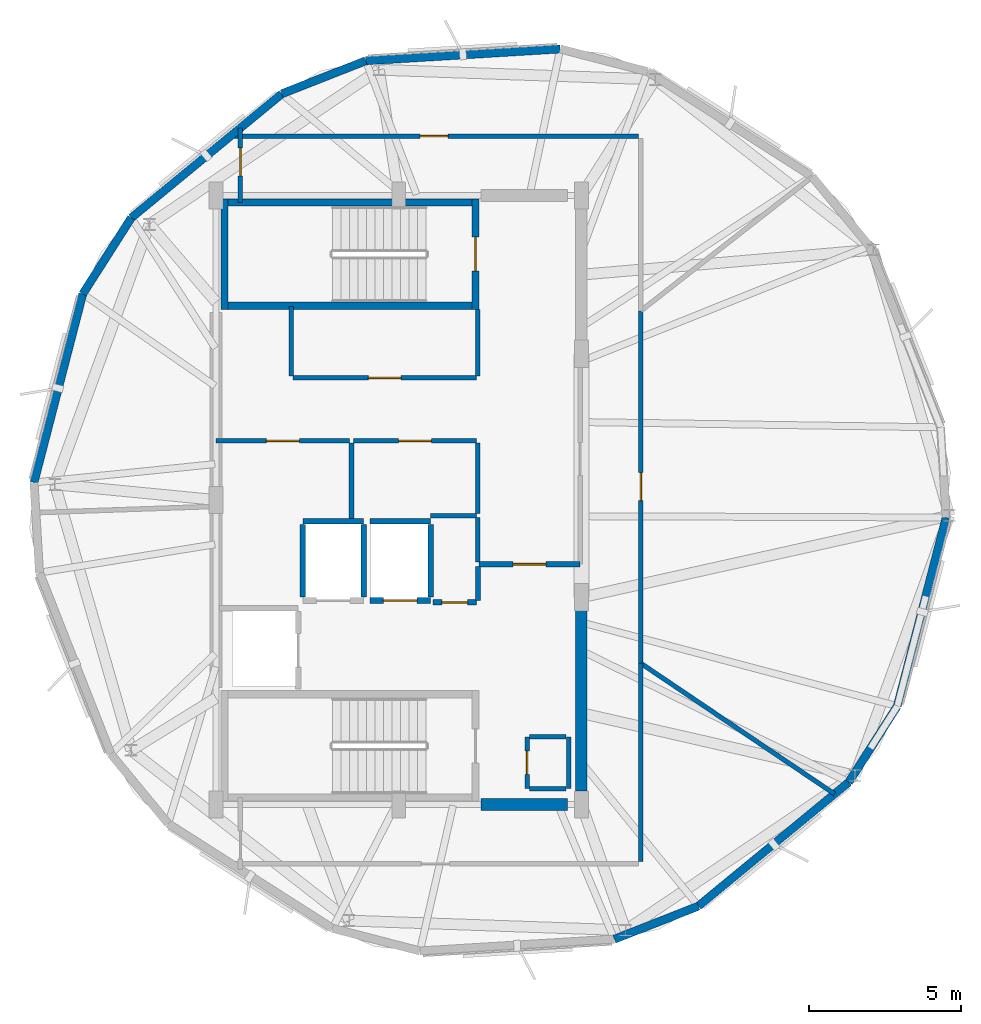
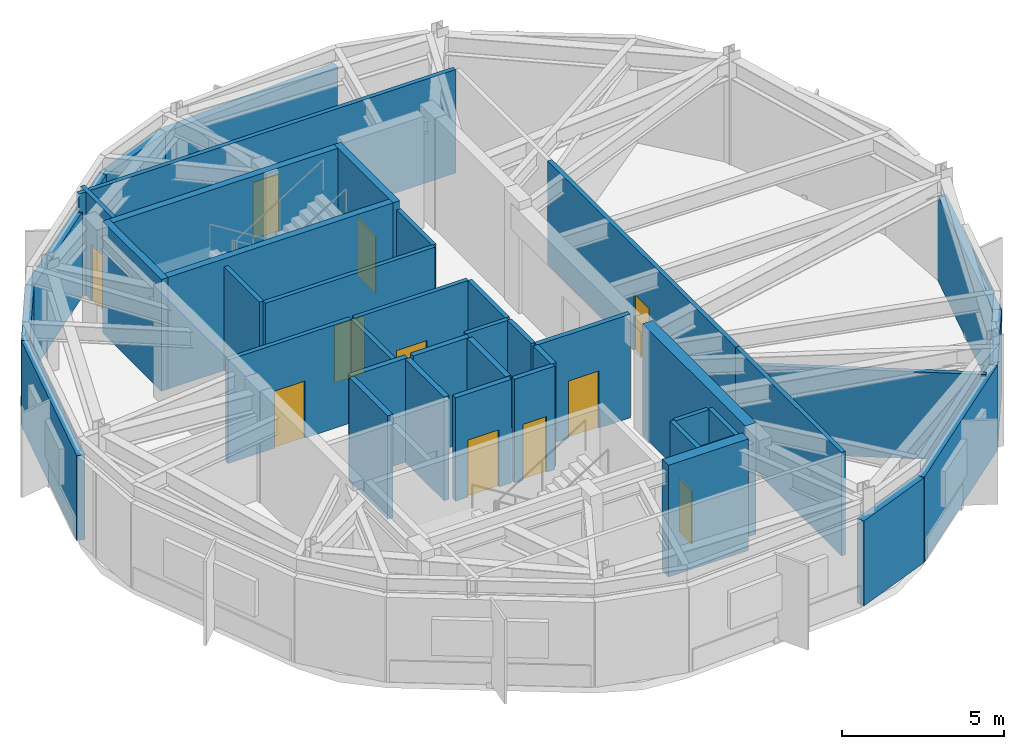
# One storey, part 3 of 6: 42 walls, 11 doors, 11 openings.
"""IFC4 building model written with IfcOpenShell, lengths in metres."""

from ifc_helpers import new_model, si_unit, direction, frame, frame_2d, origin, place, context, subcontext, project, spatial, rectangle, extrude, material, layer, layer_set, type_object, element, fill, save


model = new_model("IFC4")

# Units and contexts
model_context = context("Model", 3, precision=1e-05, world=origin(), true_north=direction((0.0, 1.0)))
body_context = subcontext(model_context, "Body", "Model", "MODEL_VIEW")
ifc_project = project(units=[si_unit("LENGTHUNIT", "METRE"), si_unit("AREAUNIT", "SQUARE_METRE"), si_unit("VOLUMEUNIT", "CUBIC_METRE"), si_unit("PLANEANGLEUNIT", "RADIAN"), si_unit("MASSUNIT", "GRAM", prefix="KILO")], contexts=[model_context])

# Site, building, storey
site_placement = place(None, origin())
site = spatial("IfcSite", under=ifc_project, at=site_placement, CompositionType="ELEMENT")
building_placement = place(site_placement, origin())
building = spatial("IfcBuilding", under=site, at=building_placement, Name="Soratama Intermodal Tower", CompositionType="ELEMENT")
storey_placement = place(building_placement, frame((0.0, 0.0, 314.050048828125)))
storey = spatial("IfcBuildingStorey", under=building, at=storey_placement, Name="L79", CompositionType="ELEMENT", Elevation=314.050048828125)

# Walls
ifc_material_1 = material(Name="Concrete f'c 42 MPa", Category="concrete")
ifc_layer_1 = layer(ifc_material_1, 0.27001953125)
ifc_layer_set_1 = layer_set([ifc_layer_1], Name="Concrete f'c 42 MPa")
wall_type_1 = type_object("IfcWallType", Name="EW-CRN-270", PredefinedType="SOLIDWALL", material=ifc_layer_set_1)
wall_1_placement = place(storey_placement, frame((37.517578125, 39.425048828125, 0.0), z_axis=(0.0, 0.0, 1.0), x_axis=(-0.930556298415, -0.36614884334, 0.0)))
element("IfcWall", 1, at=wall_1_placement, inside=storey, type_object=wall_type_1, Name="L79 Corner Closure Wall 01", PredefinedType="SOLIDWALL", context=body_context, shape_type="SweptSolid", body=[
    extrude(rectangle(XDim=2.966552734375, YDim=0.27001953125, at=frame_2d((1.4833984375, 0.0))), origin(), (0.0, 0.0, 1.0), 3.195068359375),
])
wall_2_placement = place(storey_placement, frame((43.904296875, 39.8134765625, 0.0), z_axis=(0.0, 0.0, 1.0), x_axis=(-0.998155697587, -0.06070587595, 0.0)))
element("IfcWall", 2, at=wall_2_placement, inside=storey, type_object=wall_type_1, Name="L79 Plant Wall F01", PredefinedType="SOLIDWALL", context=body_context, shape_type="SweptSolid", body=[
    extrude(rectangle(XDim=6.3984375, YDim=0.27001953125, at=frame_2d((3.19921875, 0.0))), origin(), (0.0, 0.0, 1.0), 3.195068359375),
])
wall_3_placement = place(storey_placement, frame((29.818359375, 34.2705078125, 0.0), z_axis=(0.0, 0.0, 1.0), x_axis=(-0.537567579057, -0.843220669782, 0.0)))
element("IfcWall", 3, at=wall_3_placement, inside=storey, type_object=wall_type_1, Name="L79 Corner Closure Wall 02", PredefinedType="SOLIDWALL", context=body_context, shape_type="SweptSolid", body=[
    extrude(rectangle(XDim=2.966552734375, YDim=0.27001953125, at=frame_2d((1.4833984375, 0.0))), origin(), (0.0, 0.0, 1.0), 3.195068359375),
])
wall_4_placement = place(storey_placement, frame((34.757080078125, 38.3388671875, 0.0), z_axis=(0.0, 0.0, 1.0), x_axis=(-0.771839914266, -0.635816912913, 0.0)))
element("IfcWall", 4, at=wall_4_placement, inside=storey, type_object=wall_type_1, Name="L79 Plant Wall F02", PredefinedType="SOLIDWALL", context=body_context, shape_type="SweptSolid", body=[
    extrude(rectangle(XDim=6.398681640625, YDim=0.27001953125, at=frame_2d((3.19921875, 0.0))), origin(), (0.0, 0.0, 1.0), 3.195068359375),
])
wall_5_placement = place(storey_placement, frame((28.2236328125, 31.76904296875, 0.0), z_axis=(0.0, 0.0, 1.0), x_axis=(-0.250723798098, -0.968058664063, 0.0)))
element("IfcWall", 5, at=wall_5_placement, inside=storey, type_object=wall_type_1, Name="L79 Plant Wall F03", PredefinedType="SOLIDWALL", context=body_context, shape_type="SweptSolid", body=[
    extrude(rectangle(XDim=6.3984375, YDim=0.27001953125, at=frame_2d((3.19921875, 0.0))), origin(), (0.0, 0.0, 1.0), 3.195068359375),
])
for number, where, z_axis, x_axis, name in (
    (6, (45.682373046875, 10.574951171875, 0.0), (0.0, 0.0, 1.0), (0.930556298415, 0.36614884334, 0.0), "L79 Corner Closure Wall 06"),
    (7, (53.381591796875, 15.7294921875, 0.0), (0.0, 0.0, 1.0), (0.537567579057, 0.843220669782, 0.0), "L79 Corner Closure Wall 07"),
):
    element("IfcWall", number, at=place(storey_placement, frame(where, z_axis=z_axis, x_axis=x_axis)), inside=storey, type_object=wall_type_1, Name=name, PredefinedType="SOLIDWALL", context=body_context, shape_type="SweptSolid", body=[
        extrude(rectangle(XDim=2.966552734375, YDim=0.27001953125, at=frame_2d((1.4833984375, 0.0))), origin(), (0.0, 0.0, 1.0), 3.195068359375),
    ])
wall_6_placement = place(storey_placement, frame((48.44287109375, 11.6611328125, 0.0), z_axis=(0.0, 0.0, 1.0), x_axis=(0.771839914266, 0.635816912913, 0.0)))
element("IfcWall", 8, at=wall_6_placement, inside=storey, type_object=wall_type_1, Name="L79 Plant Wall F07", PredefinedType="SOLIDWALL", context=body_context, shape_type="SweptSolid", body=[
    extrude(rectangle(XDim=6.398681640625, YDim=0.27001953125, at=frame_2d((3.19921875, 0.0))), origin(), (0.0, 0.0, 1.0), 3.195068359375),
])
wall_7_placement = place(storey_placement, frame((54.976318359375, 18.23095703125, 0.0), z_axis=(0.0, 0.0, 1.0), x_axis=(0.250723798098, 0.968058664063, 0.0)))
element("IfcWall", 9, at=wall_7_placement, inside=storey, type_object=wall_type_1, Name="L79 Plant Wall F08", PredefinedType="SOLIDWALL", context=body_context, shape_type="SweptSolid", body=[
    extrude(rectangle(XDim=6.3984375, YDim=0.27001953125, at=frame_2d((3.19921875, 0.0))), origin(), (0.0, 0.0, 1.0), 3.195068359375),
])
ifc_material_2 = material(Name="Fire-rated gypsum stud partition", Category="concrete")
ifc_layer_2 = layer(ifc_material_2, 0.14990234375)
ifc_layer_set_2 = layer_set([ifc_layer_2], Name="Fire-rated gypsum stud partition")
wall_type_2 = type_object("IfcWallType", Name="IW-PART-R150", PredefinedType="PARTITIONING", material=ifc_layer_set_2)
for number, where, z_axis, x_axis, name in (
    (10, (42.89990234375, 15.52001953125, 0.0), (0.0, 0.0, 1.0), (1.0, 0.0, 0.0), "L79 Riser Wall S"),
    (11, (42.89990234375, 17.219970703125, 0.0), (0.0, 0.0, 1.0), (1.0, 0.0, 0.0), "L79 Riser Wall N"),
):
    element("IfcWall", number, at=place(storey_placement, frame(where, z_axis=z_axis, x_axis=x_axis)), inside=storey, type_object=wall_type_2, Name=name, PredefinedType="PARTITIONING", context=body_context, shape_type="SweptSolid", body=[
        extrude(rectangle(XDim=1.2001953125, YDim=0.14990234375, at=frame_2d((0.60009765625, 0.0))), origin(), (0.0, 0.0, 1.0), 3.89501953125),
    ])
wall_8_placement = place(storey_placement, frame((44.179931640625, 15.52001953125, 0.0), z_axis=(0.0, 0.0, 1.0), x_axis=(0.0, 1.0, 0.0)))
element("IfcWall", 12, at=wall_8_placement, inside=storey, type_object=wall_type_2, Name="L79 Riser Wall E", PredefinedType="PARTITIONING", context=body_context, shape_type="SweptSolid", body=[
    extrude(rectangle(XDim=1.699951171875, YDim=0.14990234375, at=frame_2d((0.85009765625, 0.0))), origin(), (0.0, 0.0, 1.0), 3.89501953125),
])

# Wall, opening, door
wall_9_placement = place(storey_placement, frame((42.820068359375, 15.52001953125, 0.0), z_axis=(0.0, 0.0, 1.0), x_axis=(0.0, 1.0, 0.0)))
wall_9 = element("IfcWall", 13, at=wall_9_placement, inside=storey, type_object=wall_type_2, Name="L79 Riser Front Wall", PredefinedType="PARTITIONING", context=body_context, shape_type="SweptSolid", body=[
    extrude(rectangle(XDim=1.699951171875, YDim=0.14990234375, at=frame_2d((0.85009765625, 0.0))), origin(), (0.0, 0.0, 1.0), 3.89501953125),
])
opening_1_placement = place(wall_9_placement, frame((0.469970703125, 0.0, 0.0)))
opening_1 = element("IfcOpeningElement", 14, at=opening_1_placement, cuts=wall_9, Name="Opening TD-1", PredefinedType="OPENING", context=body_context, shape_type="SweptSolid", body=[
    extrude(rectangle(XDim=0.760009765625, YDim=2.0, at=frame_2d((0.3798828125, 1.0))), frame((0.0, 0.0849609375, 0.0), z_axis=(0.0, -1.0, 0.0), x_axis=(1.0, 0.0, 0.0)), (0.0, 0.0, 1.0), 0.169921875),
])
ifc_material_3 = material(Name="Steel fire door", Category="steel")
door_type_1 = type_object("IfcDoorType", Name="DR-RISER-TRAP", OperationType="NOTDEFINED", PredefinedType="TRAPDOOR", material=ifc_material_3)
door_1_placement = place(opening_1_placement, origin())
door_1 = element("IfcDoor", 15, at=door_1_placement, inside=storey, type_object=door_type_1, Name="L79 Riser Inspection Door", OperationType="SINGLE_SWING_LEFT", OverallHeight=2.0, OverallWidth=0.760009765625, PredefinedType="TRAPDOOR", context=body_context, shape_type="SweptSolid", body=[
    extrude(rectangle(XDim=0.760009765625, YDim=2.0, at=frame_2d((0.3798828125, 1.0))), frame((0.0, 0.02490234375, 0.0), z_axis=(0.0, -1.0, 0.0), x_axis=(1.0, 0.0, 0.0)), (0.0, 0.0, 1.0), 0.050048828125),
])
fill(opening_1, door_1)

wall_10_placement = place(storey_placement, frame((33.071044921875, 36.949951171875, 0.0), z_axis=(0.0, 0.0, 1.0), x_axis=(1.0, 0.0, 0.0)))
wall_10 = element("IfcWall", 16, at=wall_10_placement, inside=storey, type_object=wall_type_2, Name="L79 Partition W-L79-TP001", PredefinedType="PARTITIONING", context=body_context, shape_type="SweptSolid", body=[
    extrude(rectangle(XDim=13.408935546875, YDim=0.14990234375, at=frame_2d((6.70458984375, 0.0))), origin(), (0.0, 0.0, 1.0), 3.89501953125),
])
opening_2_placement = place(wall_10_placement, frame((6.22900390625, 0.0, 0.0)))
opening_2 = element("IfcOpeningElement", 17, at=opening_2_placement, cuts=wall_10, Name="Opening ID-6", PredefinedType="OPENING", context=body_context, shape_type="SweptSolid", body=[
    extrude(rectangle(XDim=0.919921875, YDim=2.1201171875, at=frame_2d((0.4599609375, 1.06005859375))), frame((0.0, 0.0849609375, 0.0), z_axis=(0.0, -1.0, 0.0), x_axis=(1.0, 0.0, 0.0)), (0.0, 0.0, 1.0), 0.169921875),
])
ifc_material_4 = material(Name="Solid hardwood acoustic door", Category="wood")
door_type_2 = type_object("IfcDoorType", Name="DR-ROOM-920", OperationType="NOTDEFINED", PredefinedType="DOOR", material=ifc_material_4)
door_2_placement = place(opening_2_placement, origin())
door_2 = element("IfcDoor", 18, at=door_2_placement, inside=storey, type_object=door_type_2, Name="L79 Door D-L79-TP001", OperationType="SINGLE_SWING_RIGHT", OverallHeight=2.1201171875, OverallWidth=0.919921875, PredefinedType="DOOR", context=body_context, shape_type="SweptSolid", body=[
    extrude(rectangle(XDim=0.919921875, YDim=2.1201171875, at=frame_2d((0.4599609375, 1.06005859375))), frame((0.0, 0.02490234375, 0.0), z_axis=(0.0, -1.0, 0.0), x_axis=(1.0, 0.0, 0.0)), (0.0, 0.0, 1.0), 0.050048828125),
])
fill(opening_2, door_2)

wall_11_placement = place(storey_placement, frame((46.550048828125, 31.2119140625, 0.0), z_axis=(0.0, 0.0, 1.0), x_axis=(0.0, -1.0, 0.0)))
wall_11 = element("IfcWall", 19, at=wall_11_placement, inside=storey, type_object=wall_type_2, Name="L79 Partition W-L79-TP003", PredefinedType="PARTITIONING", context=body_context, shape_type="SweptSolid", body=[
    extrude(rectangle(XDim=11.573974609375, YDim=0.14990234375, at=frame_2d((5.787109375, 0.0))), origin(), (0.0, 0.0, 1.0), 3.89501953125),
])
opening_3_placement = place(wall_11_placement, frame((5.31201171875, 0.0, 0.0)))
opening_3 = element("IfcOpeningElement", 20, at=opening_3_placement, cuts=wall_11, Name="Opening ID-6", PredefinedType="OPENING", context=body_context, shape_type="SweptSolid", body=[
    extrude(rectangle(XDim=0.919921875, YDim=2.1201171875, at=frame_2d((0.4599609375, 1.06005859375))), frame((0.0, 0.0849609375, 0.0), z_axis=(0.0, -1.0, 0.0), x_axis=(1.0, 0.0, 0.0)), (0.0, 0.0, 1.0), 0.169921875),
])
door_3_placement = place(opening_3_placement, origin())
door_3 = element("IfcDoor", 21, at=door_3_placement, inside=storey, type_object=door_type_2, Name="L79 Door D-L79-TP003", OperationType="SINGLE_SWING_RIGHT", OverallHeight=2.1201171875, OverallWidth=0.919921875, PredefinedType="DOOR", context=body_context, shape_type="SweptSolid", body=[
    extrude(rectangle(XDim=0.919921875, YDim=2.1201171875, at=frame_2d((0.4599609375, 1.06005859375))), frame((0.0, 0.02490234375, 0.0), z_axis=(0.0, -1.0, 0.0), x_axis=(1.0, 0.0, 0.0)), (0.0, 0.0, 1.0), 0.050048828125),
])
fill(opening_3, door_3)

# Walls
wall_12_placement = place(storey_placement, frame((52.9150390625, 15.344970703125, 0.0), z_axis=(0.0, 0.0, 1.0), x_axis=(-0.829053958732, 0.559168609196, 0.0)))
element("IfcWall", 22, at=wall_12_placement, inside=storey, type_object=wall_type_2, Name="L79 Partition W-L79-TP004", PredefinedType="PARTITIONING", context=body_context, shape_type="SweptSolid", body=[
    extrude(rectangle(XDim=7.677490234375, YDim=0.14990234375, at=frame_2d((3.8388671875, 0.0))), origin(), (0.0, 0.0, 1.0), 3.27294921875),
])
wall_13_placement = place(storey_placement, frame((46.550048828125, 19.637939453125, 0.0), z_axis=(0.0, 0.0, 1.0), x_axis=(0.0, -1.0, 0.0)))
element("IfcWall", 23, at=wall_13_placement, inside=storey, type_object=wall_type_2, Name="L79 Partition W-L79-TP007", PredefinedType="PARTITIONING", context=body_context, shape_type="SweptSolid", body=[
    extrude(rectangle(XDim=6.517822265625, YDim=0.14990234375, at=frame_2d((3.2587890625, 0.0))), origin(), (0.0, 0.0, 1.0), 3.89501953125),
])

# Wall, opening, door
wall_14_placement = place(storey_placement, frame((35.1201171875, 29.010009765625, 0.0), z_axis=(0.0, 0.0, 1.0), x_axis=(1.0, 0.0, 0.0)))
wall_14 = element("IfcWall", 24, at=wall_14_placement, inside=storey, type_object=wall_type_2, Name="L79 Partition W-L79-TP008", PredefinedType="PARTITIONING", context=body_context, shape_type="SweptSolid", body=[
    extrude(rectangle(XDim=6.039794921875, YDim=0.14990234375, at=frame_2d((3.02001953125, 0.0))), origin(), (0.0, 0.0, 1.0), 3.89501953125),
])
opening_4_placement = place(wall_14_placement, frame((2.47998046875, 0.0, 0.0)))
opening_4 = element("IfcOpeningElement", 25, at=opening_4_placement, cuts=wall_14, Name="Opening ID-1", PredefinedType="OPENING", context=body_context, shape_type="SweptSolid", body=[
    extrude(rectangle(XDim=1.080078125, YDim=2.14990234375, at=frame_2d((0.5400390625, 1.074951171875))), frame((0.0, 0.0849609375, 0.0), z_axis=(0.0, -1.0, 0.0), x_axis=(1.0, 0.0, 0.0)), (0.0, 0.0, 1.0), 0.169921875),
])
ifc_material_5 = material(Name="Solid hardwood acoustic door", Category="wood")
door_type_3 = type_object("IfcDoorType", Name="DR-LOB-FD60", OperationType="NOTDEFINED", PredefinedType="DOOR", material=ifc_material_5)
door_4_placement = place(opening_4_placement, origin())
door_4 = element("IfcDoor", 26, at=door_4_placement, inside=storey, type_object=door_type_3, Name="L79 Door D-L79-TP005", OperationType="SINGLE_SWING_RIGHT", OverallHeight=2.14990234375, OverallWidth=1.080078125, PredefinedType="DOOR", context=body_context, shape_type="SweptSolid", body=[
    extrude(rectangle(XDim=1.080078125, YDim=2.14990234375, at=frame_2d((0.5400390625, 1.074951171875))), frame((0.0, 0.02490234375, 0.0), z_axis=(0.0, -1.0, 0.0), x_axis=(1.0, 0.0, 0.0)), (0.0, 0.0, 1.0), 0.050048828125),
])
fill(opening_4, door_4)

wall_15_placement = place(storey_placement, frame((36.989990234375, 26.93994140625, 0.0), z_axis=(0.0, 0.0, 1.0), x_axis=(-1.0, 0.0, 0.0)))
wall_15 = element("IfcWall", 27, at=wall_15_placement, inside=storey, type_object=wall_type_2, Name="L79 Partition W-L79-TP011", PredefinedType="PARTITIONING", context=body_context, shape_type="SweptSolid", body=[
    extrude(rectangle(XDim=4.389892578125, YDim=0.14990234375, at=frame_2d((2.19482421875, 0.0))), origin(), (0.0, 0.0, 1.0), 3.89501953125),
])
opening_5_placement = place(wall_15_placement, frame((1.655029296875, 0.0, 0.0)))
opening_5 = element("IfcOpeningElement", 28, at=opening_5_placement, cuts=wall_15, Name="Opening ID-1", PredefinedType="OPENING", context=body_context, shape_type="SweptSolid", body=[
    extrude(rectangle(XDim=1.080078125, YDim=2.14990234375, at=frame_2d((0.5400390625, 1.074951171875))), frame((0.0, 0.0849609375, 0.0), z_axis=(0.0, -1.0, 0.0), x_axis=(1.0, 0.0, 0.0)), (0.0, 0.0, 1.0), 0.169921875),
])
door_5_placement = place(opening_5_placement, origin())
door_5 = element("IfcDoor", 29, at=door_5_placement, inside=storey, type_object=door_type_3, Name="L79 Door D-L79-TP006", OperationType="SINGLE_SWING_LEFT", OverallHeight=2.14990234375, OverallWidth=1.080078125, PredefinedType="DOOR", context=body_context, shape_type="SweptSolid", body=[
    extrude(rectangle(XDim=1.080078125, YDim=2.14990234375, at=frame_2d((0.5400390625, 1.074951171875))), frame((0.0, 0.02490234375, 0.0), z_axis=(0.0, -1.0, 0.0), x_axis=(1.0, 0.0, 0.0)), (0.0, 0.0, 1.0), 0.050048828125),
])
fill(opening_5, door_5)

wall_16_placement = place(storey_placement, frame((41.159912109375, 26.93994140625, 0.0), z_axis=(0.0, 0.0, 1.0), x_axis=(-1.0, 0.0, 0.0)))
wall_16 = element("IfcWall", 30, at=wall_16_placement, inside=storey, type_object=wall_type_2, Name="L79 Partition W-L79-TP012", PredefinedType="PARTITIONING", context=body_context, shape_type="SweptSolid", body=[
    extrude(rectangle(XDim=4.0498046875, YDim=0.14990234375, at=frame_2d((2.02490234375, 0.0))), origin(), (0.0, 0.0, 1.0), 3.89501953125),
])
opening_6_placement = place(wall_16_placement, frame((1.485107421875, 0.0, 0.0)))
opening_6 = element("IfcOpeningElement", 31, at=opening_6_placement, cuts=wall_16, Name="Opening ID-1", PredefinedType="OPENING", context=body_context, shape_type="SweptSolid", body=[
    extrude(rectangle(XDim=1.080078125, YDim=2.14990234375, at=frame_2d((0.5400390625, 1.074951171875))), frame((0.0, 0.0849609375, 0.0), z_axis=(0.0, -1.0, 0.0), x_axis=(1.0, 0.0, 0.0)), (0.0, 0.0, 1.0), 0.169921875),
])
door_6_placement = place(opening_6_placement, origin())
door_6 = element("IfcDoor", 32, at=door_6_placement, inside=storey, type_object=door_type_3, Name="L79 Door D-L79-TP007", OperationType="SINGLE_SWING_RIGHT", OverallHeight=2.14990234375, OverallWidth=1.080078125, PredefinedType="DOOR", context=body_context, shape_type="SweptSolid", body=[
    extrude(rectangle(XDim=1.080078125, YDim=2.14990234375, at=frame_2d((0.5400390625, 1.074951171875))), frame((0.0, 0.02490234375, 0.0), z_axis=(0.0, -1.0, 0.0), x_axis=(1.0, 0.0, 0.0)), (0.0, 0.0, 1.0), 0.050048828125),
])
fill(opening_6, door_6)

# Wall
wall_17_placement = place(storey_placement, frame((37.050048828125, 26.8798828125, 0.0), z_axis=(0.0, 0.0, 1.0), x_axis=(0.0, -1.0, 0.0)))
element("IfcWall", 33, at=wall_17_placement, inside=storey, type_object=wall_type_2, Name="L79 Partition W-L79-TP014", PredefinedType="PARTITIONING", context=body_context, shape_type="SweptSolid", body=[
    extrude(rectangle(XDim=2.579833984375, YDim=0.14990234375, at=frame_2d((1.2900390625, 0.0))), origin(), (0.0, 0.0, 1.0), 3.89501953125),
])

# Wall, opening, door
wall_18_placement = place(storey_placement, frame((33.39990234375, 34.77001953125, 0.0), z_axis=(0.0, 0.0, 1.0), x_axis=(0.0, 1.0, 0.0)))
wall_18 = element("IfcWall", 34, at=wall_18_placement, inside=storey, type_object=wall_type_2, Name="L79 Partition W-L79-TP015", PredefinedType="PARTITIONING", context=body_context, shape_type="SweptSolid", body=[
    extrude(rectangle(XDim=2.450927734375, YDim=0.14990234375, at=frame_2d((1.2255859375, 0.0))), origin(), (0.0, 0.0, 1.0), 3.89501953125),
])
opening_7_placement = place(wall_18_placement, frame((0.873046875, 0.0, 0.0)))
opening_7 = element("IfcOpeningElement", 35, at=opening_7_placement, cuts=wall_18, Name="Opening ID-6", PredefinedType="OPENING", context=body_context, shape_type="SweptSolid", body=[
    extrude(rectangle(XDim=0.919921875, YDim=2.1201171875, at=frame_2d((0.4599609375, 1.06005859375))), frame((0.0, 0.0849609375, 0.0), z_axis=(0.0, -1.0, 0.0), x_axis=(1.0, 0.0, 0.0)), (0.0, 0.0, 1.0), 0.169921875),
])
door_7_placement = place(opening_7_placement, origin())
door_7 = element("IfcDoor", 36, at=door_7_placement, inside=storey, type_object=door_type_2, Name="L79 Door D-L79-TP009", OperationType="SINGLE_SWING_RIGHT", OverallHeight=2.1201171875, OverallWidth=0.919921875, PredefinedType="DOOR", context=body_context, shape_type="SweptSolid", body=[
    extrude(rectangle(XDim=0.919921875, YDim=2.1201171875, at=frame_2d((0.4599609375, 1.06005859375))), frame((0.0, 0.02490234375, 0.0), z_axis=(0.0, -1.0, 0.0), x_axis=(1.0, 0.0, 0.0)), (0.0, 0.0, 1.0), 0.050048828125),
])
fill(opening_7, door_7)

# Walls
wall_19_placement = place(storey_placement, frame((41.199951171875, 24.550048828125, 0.0), z_axis=(0.0, 0.0, 1.0), x_axis=(0.0, 1.0, 0.0)))
element("IfcWall", 37, at=wall_19_placement, inside=storey, type_object=wall_type_2, Name="L79 Partition W-L79-TP017", PredefinedType="PARTITIONING", context=body_context, shape_type="SweptSolid", body=[
    extrude(rectangle(XDim=2.329833984375, YDim=0.14990234375, at=frame_2d((1.1650390625, 0.0))), origin(), (0.0, 0.0, 1.0), 3.89501953125),
])
wall_20_placement = place(storey_placement, frame((35.070068359375, 31.360107421875, 0.0), z_axis=(0.0, 0.0, 1.0), x_axis=(0.0, -1.0, 0.0)))
element("IfcWall", 38, at=wall_20_placement, inside=storey, type_object=wall_type_2, Name="L79 Partition W-L79-TP018", PredefinedType="PARTITIONING", context=body_context, shape_type="SweptSolid", body=[
    extrude(rectangle(XDim=2.2900390625, YDim=0.14990234375, at=frame_2d((1.14501953125, 0.0))), origin(), (0.0, 0.0, 1.0), 3.89501953125),
])
wall_21_placement = place(storey_placement, frame((41.199951171875, 29.070068359375, 0.0), z_axis=(0.0, 0.0, 1.0), x_axis=(0.0, 1.0, 0.0)))
element("IfcWall", 39, at=wall_21_placement, inside=storey, type_object=wall_type_2, Name="L79 Partition W-L79-TP019", PredefinedType="PARTITIONING", context=body_context, shape_type="SweptSolid", body=[
    extrude(rectangle(XDim=2.18994140625, YDim=0.14990234375, at=frame_2d((1.094970703125, 0.0))), origin(), (0.0, 0.0, 1.0), 3.89501953125),
])
wall_22_placement = place(storey_placement, frame((39.64990234375, 24.485107421875, 0.0), z_axis=(0.0, 0.0, 1.0), x_axis=(1.0, 0.0, 0.0)))
element("IfcWall", 40, at=wall_22_placement, inside=storey, type_object=wall_type_2, Name="L79 Partition W-L79-TP020", PredefinedType="PARTITIONING", context=body_context, shape_type="SweptSolid", body=[
    extrude(rectangle(XDim=1.510009765625, YDim=0.14990234375, at=frame_2d((0.7548828125, 0.0))), origin(), (0.0, 0.0, 1.0), 3.89501953125),
])
wall_23_placement = place(storey_placement, frame((41.199951171875, 22.9599609375, 0.0), z_axis=(0.0, 0.0, 1.0), x_axis=(0.0, 1.0, 0.0)))
element("IfcWall", 41, at=wall_23_placement, inside=storey, type_object=wall_type_2, Name="L79 Partition W-L79-TP021", PredefinedType="PARTITIONING", context=body_context, shape_type="SweptSolid", body=[
    extrude(rectangle(XDim=1.4599609375, YDim=0.14990234375, at=frame_2d((0.72998046875, 0.0))), origin(), (0.0, 0.0, 1.0), 3.89501953125),
])

# Wall, opening, door
ifc_material_6 = material(Name="Fire-rated gypsum stud partition", Category="concrete")
ifc_layer_3 = layer(ifc_material_6, 0.169921875)
ifc_layer_set_3 = layer_set([ifc_layer_3], Name="Fire-rated gypsum stud partition")
wall_type_3 = type_object("IfcWallType", Name="IW-PART-R170", PredefinedType="PARTITIONING", material=ifc_layer_set_3)
wall_24_placement = place(storey_placement, frame((41.239990234375, 22.889892578125, 0.0), z_axis=(0.0, 0.0, 1.0), x_axis=(1.0, 0.0, 0.0)))
wall_24 = element("IfcWall", 42, at=wall_24_placement, inside=storey, type_object=wall_type_3, Name="L79 Partition W-L79-TP013", PredefinedType="PARTITIONING", context=body_context, shape_type="SweptSolid", body=[
    extrude(rectangle(XDim=3.320068359375, YDim=0.169921875, at=frame_2d((1.66015625, 0.0))), origin(), (0.0, 0.0, 1.0), 3.89501953125),
])
opening_8_placement = place(wall_24_placement, frame((1.1201171875, 0.0, 0.0)))
opening_8 = element("IfcOpeningElement", 43, at=opening_8_placement, cuts=wall_24, Name="Opening ID-0", PredefinedType="OPENING", context=body_context, shape_type="SweptSolid", body=[
    extrude(rectangle(XDim=1.080078125, YDim=2.14990234375, at=frame_2d((0.5400390625, 1.074951171875))), frame((0.0, 0.094970703125, 0.0), z_axis=(0.0, -1.0, 0.0), x_axis=(1.0, 0.0, 0.0)), (0.0, 0.0, 1.0), 0.18994140625),
])
ifc_material_7 = material(Name="Solid hardwood acoustic door", Category="wood")
door_type_4 = type_object("IfcDoorType", Name="DR-LOB-FD90", OperationType="NOTDEFINED", PredefinedType="DOOR", material=ifc_material_7)
door_8_placement = place(opening_8_placement, origin())
door_8 = element("IfcDoor", 44, at=door_8_placement, inside=storey, type_object=door_type_4, Name="L79 Door D-L79-TP008", OperationType="SINGLE_SWING_LEFT", OverallHeight=2.14990234375, OverallWidth=1.080078125, PredefinedType="DOOR", context=body_context, shape_type="SweptSolid", body=[
    extrude(rectangle(XDim=1.080078125, YDim=2.14990234375, at=frame_2d((0.5400390625, 1.074951171875))), frame((0.0, 0.02490234375, 0.0), z_axis=(0.0, -1.0, 0.0), x_axis=(1.0, 0.0, 0.0)), (0.0, 0.0, 1.0), 0.050048828125),
])
fill(opening_8, door_8)

wall_25_placement = place(storey_placement, frame((39.719970703125, 21.639892578125, 0.0), z_axis=(0.0, 0.0, 1.0), x_axis=(1.0, 0.0, 0.0)))
wall_25 = element("IfcWall", 45, at=wall_25_placement, inside=storey, type_object=wall_type_3, Name="L79 Partition W-L79-TP022", PredefinedType="PARTITIONING", context=body_context, shape_type="SweptSolid", body=[
    extrude(rectangle(XDim=1.43994140625, YDim=0.169921875, at=frame_2d((0.719970703125, 0.0))), origin(), (0.0, 0.0, 1.0), 3.89501953125),
])
opening_9_placement = place(wall_25_placement, frame((0.294921875, 0.0, 0.0)))
opening_9 = element("IfcOpeningElement", 46, at=opening_9_placement, cuts=wall_25, Name="Opening ID-4", PredefinedType="OPENING", context=body_context, shape_type="SweptSolid", body=[
    extrude(rectangle(XDim=0.85009765625, YDim=2.10009765625, at=frame_2d((0.425048828125, 1.050048828125))), frame((0.0, 0.094970703125, 0.0), z_axis=(0.0, -1.0, 0.0), x_axis=(1.0, 0.0, 0.0)), (0.0, 0.0, 1.0), 0.18994140625),
])
ifc_material_8 = material(Name="Solid hardwood acoustic door", Category="wood")
door_type_5 = type_object("IfcDoorType", Name="DR-BATH-850", OperationType="NOTDEFINED", PredefinedType="DOOR", material=ifc_material_8)
door_9_placement = place(opening_9_placement, origin())
door_9 = element("IfcDoor", 47, at=door_9_placement, inside=storey, type_object=door_type_5, Name="L79 Door D-L79-TP011", OperationType="SINGLE_SWING_RIGHT", OverallHeight=2.10009765625, OverallWidth=0.85009765625, PredefinedType="DOOR", context=body_context, shape_type="SweptSolid", body=[
    extrude(rectangle(XDim=0.85009765625, YDim=2.10009765625, at=frame_2d((0.425048828125, 1.050048828125))), frame((0.0, 0.02490234375, 0.0), z_axis=(0.0, -1.0, 0.0), x_axis=(1.0, 0.0, 0.0)), (0.0, 0.0, 1.0), 0.050048828125),
])
fill(opening_9, door_9)

# Walls
wall_26_placement = place(storey_placement, frame((41.199951171875, 21.699951171875, 0.0), z_axis=(0.0, 0.0, 1.0), x_axis=(0.0, 1.0, 0.0)))
element("IfcWall", 48, at=wall_26_placement, inside=storey, type_object=wall_type_3, Name="L79 Partition W-L79-TP023", PredefinedType="PARTITIONING", context=body_context, shape_type="SweptSolid", body=[
    extrude(rectangle(XDim=1.1201171875, YDim=0.169921875, at=frame_2d((0.56005859375, 0.0))), origin(), (0.0, 0.0, 1.0), 3.89501953125),
])
ifc_material_9 = material(Name="Concrete f'c 42 MPa", Category="concrete")
ifc_layer_4 = layer(ifc_material_9, 0.18505859375)
ifc_layer_set_4 = layer_set([ifc_layer_4], Name="Concrete f'c 42 MPa")
wall_type_4 = type_object("IfcWallType", Name="IW-SHAFT-185", PredefinedType="SOLIDWALL", material=ifc_layer_set_4)
wall_27_placement = place(storey_placement, frame((35.449951171875, 24.300048828125, 0.0), z_axis=(0.0, 0.0, 1.0), x_axis=(1.0, 0.0, 0.0)))
element("IfcWall", 49, at=wall_27_placement, inside=storey, type_object=wall_type_4, Name="L79 FFL-1 Hoistway Wall N", PredefinedType="SOLIDWALL", context=body_context, shape_type="SweptSolid", body=[
    extrude(rectangle(XDim=2.0, YDim=0.18505859375, at=frame_2d((1.0, 0.0))), origin(), (0.0, 0.0, 1.0), 3.89501953125),
])
for number, where, z_axis, x_axis, name in (
    (50, (35.449951171875, 21.81005859375, 0.0), (0.0, 0.0, 1.0), (0.0, 1.0, 0.0), "L79 FFL-1 Hoistway Wall W"),
    (51, (37.449951171875, 21.81005859375, 0.0), (0.0, 0.0, 1.0), (0.0, 1.0, 0.0), "L79 FFL-1 Hoistway Wall E"),
):
    element("IfcWall", number, at=place(storey_placement, frame(where, z_axis=z_axis, x_axis=x_axis)), inside=storey, type_object=wall_type_4, Name=name, PredefinedType="SOLIDWALL", context=body_context, shape_type="SweptSolid", body=[
        extrude(rectangle(XDim=2.3798828125, YDim=0.18505859375, at=frame_2d((1.18994140625, 0.0))), origin(), (0.0, 0.0, 1.0), 3.89501953125),
    ])

# Wall, opening, door
wall_28_placement = place(storey_placement, frame((37.64990234375, 21.699951171875, 0.0), z_axis=(0.0, 0.0, 1.0), x_axis=(1.0, 0.0, 0.0)))
wall_28 = element("IfcWall", 52, at=wall_28_placement, inside=storey, type_object=wall_type_4, Name="L79 FFL-2 Hoistway Wall S", PredefinedType="SOLIDWALL", context=body_context, shape_type="SweptSolid", body=[
    extrude(rectangle(XDim=2.0, YDim=0.18505859375, at=frame_2d((1.0, 0.0))), origin(), (0.0, 0.0, 1.0), 3.89501953125),
])
opening_10_placement = place(wall_28_placement, frame((0.449951171875, 0.0, 0.0)))
opening_10 = element("IfcOpeningElement", 53, at=opening_10_placement, cuts=wall_28, Name="Opening LD-1", PredefinedType="OPENING", context=body_context, shape_type="SweptSolid", body=[
    extrude(rectangle(XDim=1.10009765625, YDim=2.14990234375, at=frame_2d((0.550048828125, 1.074951171875))), frame((0.0, 0.1025390625, 0.0), z_axis=(0.0, -1.0, 0.0), x_axis=(1.0, 0.0, 0.0)), (0.0, 0.0, 1.0), 0.205078125),
])
ifc_material_10 = material(Name="Steel fire door", Category="steel")
door_type_6 = type_object("IfcDoorType", Name="DR-LIFT-SLIDE", OperationType="NOTDEFINED", PredefinedType="DOOR", material=ifc_material_10)
door_10_placement = place(opening_10_placement, origin())
door_10 = element("IfcDoor", 54, at=door_10_placement, inside=storey, type_object=door_type_6, Name="L79 FFL-2 Sliding Landing Door", OperationType="SLIDING_TO_LEFT", OverallHeight=2.14990234375, OverallWidth=1.10009765625, PredefinedType="DOOR", context=body_context, shape_type="SweptSolid", body=[
    extrude(rectangle(XDim=1.10009765625, YDim=2.14990234375, at=frame_2d((0.550048828125, 1.074951171875))), frame((0.0, 0.02490234375, 0.0), z_axis=(0.0, -1.0, 0.0), x_axis=(1.0, 0.0, 0.0)), (0.0, 0.0, 1.0), 0.050048828125),
])
fill(opening_10, door_10)

# Walls
wall_29_placement = place(storey_placement, frame((37.64990234375, 24.300048828125, 0.0), z_axis=(0.0, 0.0, 1.0), x_axis=(1.0, 0.0, 0.0)))
element("IfcWall", 55, at=wall_29_placement, inside=storey, type_object=wall_type_4, Name="L79 FFL-2 Hoistway Wall N", PredefinedType="SOLIDWALL", context=body_context, shape_type="SweptSolid", body=[
    extrude(rectangle(XDim=2.0, YDim=0.18505859375, at=frame_2d((1.0, 0.0))), origin(), (0.0, 0.0, 1.0), 3.89501953125),
])
wall_30_placement = place(storey_placement, frame((39.64990234375, 21.81005859375, 0.0), z_axis=(0.0, 0.0, 1.0), x_axis=(0.0, 1.0, 0.0)))
element("IfcWall", 56, at=wall_30_placement, inside=storey, type_object=wall_type_4, Name="L79 FFL-2 Hoistway Wall E", PredefinedType="SOLIDWALL", context=body_context, shape_type="SweptSolid", body=[
    extrude(rectangle(XDim=2.3798828125, YDim=0.18505859375, at=frame_2d((1.18994140625, 0.0))), origin(), (0.0, 0.0, 1.0), 3.89501953125),
])
ifc_material_11 = material(Name="Concrete f'c 56 MPa", Category="concrete")
ifc_layer_5 = layer(ifc_material_11, 0.3798828125)
ifc_layer_set_5 = layer_set([ifc_layer_5], Name="Concrete f'c 56 MPa")
wall_type_5 = type_object("IfcWallType", Name="SW-CORE-380", PredefinedType="SHEAR", material=ifc_layer_set_5)
wall_31_placement = place(storey_placement, frame((41.300048828125, 15.0, 0.0), z_axis=(0.0, 0.0, 1.0), x_axis=(1.0, 0.0, 0.0)))
element("IfcWall", 57, at=wall_31_placement, inside=storey, type_object=wall_type_5, Name="L79 Core Shear Wall CW-SE", PredefinedType="SHEAR", context=body_context, shape_type="SweptSolid", body=[
    extrude(rectangle(XDim=2.849853515625, YDim=0.3798828125, at=frame_2d((1.4248046875, 0.0))), origin(), (0.0, 0.0, 1.0), 4.199951171875),
])
wall_32_placement = place(storey_placement, frame((44.60009765625, 15.449951171875, 0.0), z_axis=(0.0, 0.0, 1.0), x_axis=(0.0, 1.0, 0.0)))
element("IfcWall", 58, at=wall_32_placement, inside=storey, type_object=wall_type_5, Name="L79 Core Shear Wall CW-ES", PredefinedType="SHEAR", context=body_context, shape_type="SweptSolid", body=[
    extrude(rectangle(XDim=6.35009765625, YDim=0.3798828125, at=frame_2d((3.175048828125, 0.0))), origin(), (0.0, 0.0, 1.0), 4.199951171875),
])
ifc_material_12 = material(Name="Concrete f'c 56 MPa", Category="concrete")
ifc_layer_6 = layer(ifc_material_12, 0.239990234375)
ifc_layer_set_6 = layer_set([ifc_layer_6], Name="Concrete f'c 56 MPa")
wall_type_6 = type_object("IfcWallType", Name="SW-STAIR-240", PredefinedType="SHEAR", material=ifc_layer_set_6)
wall_33_placement = place(storey_placement, frame((32.8798828125, 31.260009765625, 0.0), z_axis=(0.0, 0.0, 1.0), x_axis=(0.0, 1.0, 0.0)))
element("IfcWall", 59, at=wall_33_placement, inside=storey, type_object=wall_type_6, Name="L79 ST-2 Shaft Shear Wall W", PredefinedType="SHEAR", context=body_context, shape_type="SweptSolid", body=[
    extrude(rectangle(XDim=3.6298828125, YDim=0.239990234375, at=frame_2d((1.81494140625, 0.0))), origin(), (0.0, 0.0, 1.0), 4.199951171875),
])

# Wall, opening, door
wall_34_placement = place(storey_placement, frame((41.1201171875, 31.260009765625, 0.0), z_axis=(0.0, 0.0, 1.0), x_axis=(0.0, 1.0, 0.0)))
wall_34 = element("IfcWall", 60, at=wall_34_placement, inside=storey, type_object=wall_type_6, Name="L79 ST-2 Shaft Shear Wall E", PredefinedType="SHEAR", context=body_context, shape_type="SweptSolid", body=[
    extrude(rectangle(XDim=3.6298828125, YDim=0.239990234375, at=frame_2d((1.81494140625, 0.0))), origin(), (0.0, 0.0, 1.0), 4.199951171875),
])
opening_11_placement = place(wall_34_placement, frame((1.2548828125, 0.0, 0.0)))
opening_11 = element("IfcOpeningElement", 61, at=opening_11_placement, cuts=wall_34, Name="Opening SD-1", PredefinedType="OPENING", context=body_context, shape_type="SweptSolid", body=[
    extrude(rectangle(XDim=1.1201171875, YDim=2.14990234375, at=frame_2d((0.56005859375, 1.074951171875))), frame((0.0, 0.1298828125, 0.0), z_axis=(0.0, -1.0, 0.0), x_axis=(1.0, 0.0, 0.0)), (0.0, 0.0, 1.0), 0.260009765625),
])
ifc_material_13 = material(Name="Steel fire door", Category="steel")
door_type_7 = type_object("IfcDoorType", Name="DR-STAIR-FD90", OperationType="NOTDEFINED", PredefinedType="DOOR", material=ifc_material_13)
door_11_placement = place(opening_11_placement, origin())
door_11 = element("IfcDoor", 62, at=door_11_placement, inside=storey, type_object=door_type_7, Name="L79 ST-2 Exit Stair Door", OperationType="SINGLE_SWING_RIGHT", OverallHeight=2.14990234375, OverallWidth=1.1201171875, PredefinedType="DOOR", context=body_context, shape_type="SweptSolid", body=[
    extrude(rectangle(XDim=1.1201171875, YDim=2.14990234375, at=frame_2d((0.56005859375, 1.074951171875))), frame((0.0, 0.02490234375, 0.0), z_axis=(0.0, -1.0, 0.0), x_axis=(1.0, 0.0, 0.0)), (0.0, 0.0, 1.0), 0.050048828125),
])
fill(opening_11, door_11)

# Walls
for number, where, z_axis, x_axis, name in (
    (63, (33.0, 31.3798828125, 0.0), (0.0, 0.0, 1.0), (1.0, 0.0, 0.0), "L79 ST-2 Shaft Shear Wall S"),
    (64, (33.0, 34.77001953125, 0.0), (0.0, 0.0, 1.0), (1.0, 0.0, 0.0), "L79 ST-2 Shaft Shear Wall N"),
):
    element("IfcWall", number, at=place(storey_placement, frame(where, z_axis=z_axis, x_axis=x_axis)), inside=storey, type_object=wall_type_6, Name=name, PredefinedType="SHEAR", context=body_context, shape_type="SweptSolid", body=[
        extrude(rectangle(XDim=8.0, YDim=0.239990234375, at=frame_2d((4.0, 0.0))), origin(), (0.0, 0.0, 1.0), 4.199951171875),
    ])

save(model, "model.ifc")
